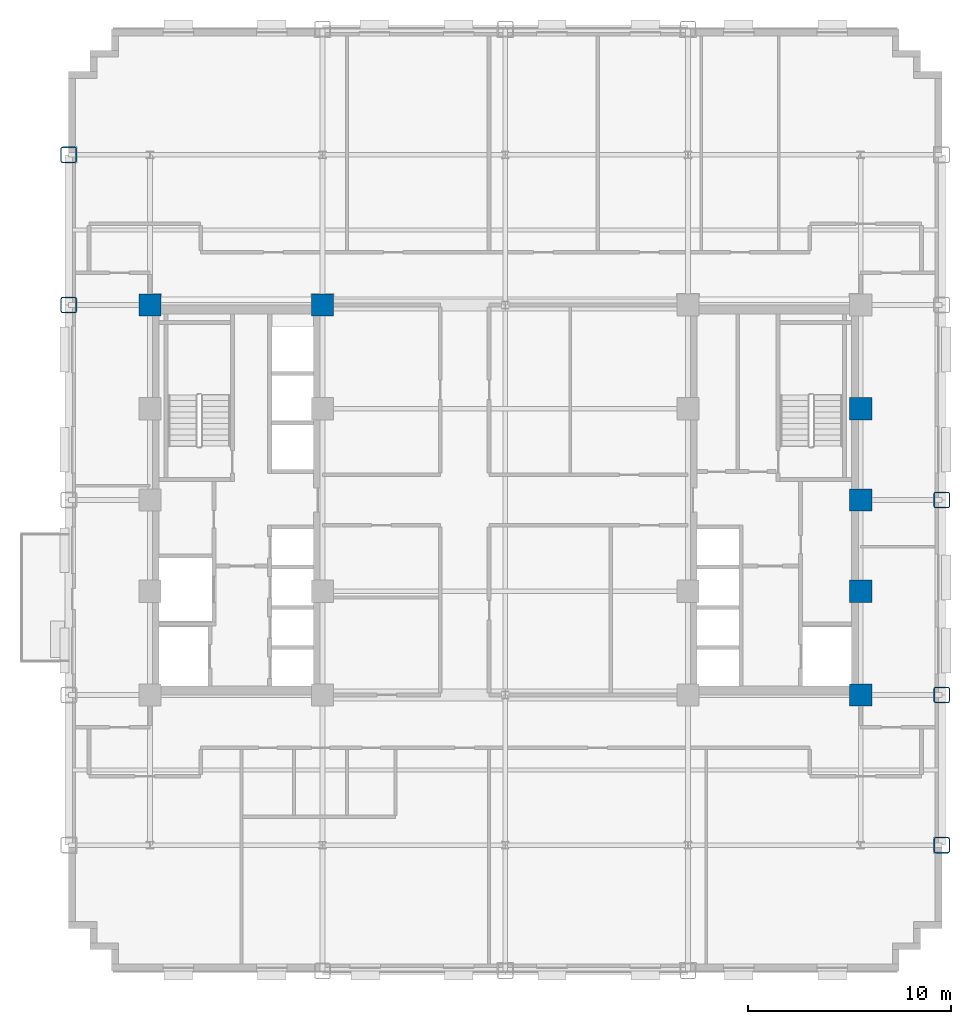
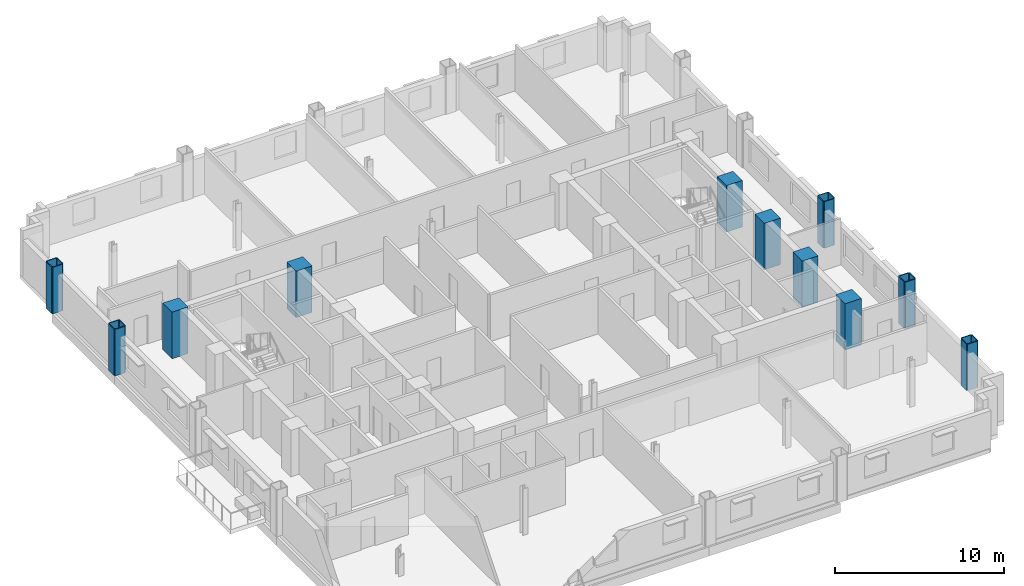
# One storey, part 2 of 13: 11 columns.
"""IFC4 building model written with IfcOpenShell, lengths in metres."""

from ifc_helpers import new_model, si_unit, direction, frame, origin, origin_2d, place, context, subcontext, project, spatial, rectangle, hollow_rectangle, extrude, material, material_profile, profile_set, type_object, element, save


model = new_model("IFC4")

# Units and contexts
model_context = context("Model", 3, precision=1e-05, world=origin(), true_north=direction((0.0, 1.0)))
body_context = subcontext(model_context, "Body", "Model", "MODEL_VIEW")
ifc_project = project(units=[si_unit("LENGTHUNIT", "METRE"), si_unit("AREAUNIT", "SQUARE_METRE"), si_unit("VOLUMEUNIT", "CUBIC_METRE"), si_unit("PLANEANGLEUNIT", "RADIAN"), si_unit("MASSUNIT", "GRAM", prefix="KILO")], contexts=[model_context])

# Site, building, storey
site_placement = place(None, origin())
site = spatial("IfcSite", under=ifc_project, at=site_placement, CompositionType="ELEMENT")
building_placement = place(site_placement, origin())
building = spatial("IfcBuilding", under=site, at=building_placement, Name="Nuvemarco Arch Tower", CompositionType="ELEMENT")
storey_placement = place(building_placement, frame((0.0, 0.0, 78.699951171875)))
storey = spatial("IfcBuildingStorey", under=building, at=storey_placement, Name="L20", CompositionType="ELEMENT", Elevation=78.699951171875)

# Columns
ifc_material_1 = material(Name="Concrete C60/75", Category="concrete")
ifc_material_profile_1 = material_profile(ifc_material_1, rectangle(XDim=1.10009765625, YDim=1.10009765625, at=origin_2d()), Name="RC-COL-1100x1100")
ifc_profile_set_1 = profile_set([ifc_material_profile_1], Name="Concrete C60/75")
column_type_1 = type_object("IfcColumnType", Name="COL-CORE-1100", PredefinedType="COLUMN", material=ifc_profile_set_1)
for number, where, z_axis, x_axis, name in (
    (1, (-17.5, 9.60009765625, 0.0), (0.0, 0.0, 1.0), (1.0, 0.0, 0.0), "L20 column CC_-17.5_+9.6"),
    (2, (-9.0, 9.60009765625, 0.0), (0.0, 0.0, 1.0), (1.0, 0.0, 0.0), "L20 column CC_-9.0_+9.6"),
    (3, (17.5, -9.60009765625, 0.0), (0.0, 0.0, 1.0), (1.0, 0.0, 0.0), "L20 column CC_+17.5_-9.6"),
    (4, (17.5, -4.5, 0.0), (0.0, 0.0, 1.0), (1.0, 0.0, 0.0), "L20 column CC_+17.5_-4.5"),
    (5, (17.5, 4.5, 0.0), (0.0, 0.0, 1.0), (1.0, 0.0, 0.0), "L20 column CC_+17.5_+4.5"),
    (6, (17.5, 0.0, 0.0), (0.0, 0.0, 1.0), (1.0, 0.0, 0.0), "L20 column CC_+17.5_+0.0"),
):
    element("IfcColumn", number, at=place(storey_placement, frame(where, z_axis=z_axis, x_axis=x_axis)), inside=storey, type_object=column_type_1, Name=name, PredefinedType="COLUMN", context=body_context, shape_type="SweptSolid", body=[
        extrude(rectangle(XDim=1.10009765625, YDim=1.10009765625, at=origin_2d()), origin(), (0.0, 0.0, 1.0), 3.3701171875),
    ])
ifc_material_2 = material(Name="Steel S460", Category="steel")
ifc_material_profile_2 = material_profile(ifc_material_2, hollow_rectangle(XDim=0.800048828125, YDim=0.800048828125, WallThickness=0.054931640625, InnerFilletRadius=0.054931640625, OuterFilletRadius=0.110107421875, at=origin_2d()), Name="SHS800x800x55")
ifc_profile_set_2 = profile_set([ifc_material_profile_2], Name="Steel S460")
column_type_2 = type_object("IfcColumnType", Name="COL-EXO-800", PredefinedType="COLUMN", material=ifc_profile_set_2)
for number, where, z_axis, x_axis, name in (
    (7, (-21.5, 9.60009765625, 0.0), (0.0, 0.0, 1.0), (1.0, 0.0, 0.0), "L20 column CX_-21.5_+9.6"),
    (8, (-21.5, 17.0, 0.0), (0.0, 0.0, 1.0), (1.0, 0.0, 0.0), "L20 column CX_-21.5_+17.0"),
    (9, (21.5, -17.0, 0.0), (0.0, 0.0, 1.0), (1.0, 0.0, 0.0), "L20 column CX_+21.5_-17.0"),
    (10, (21.5, -9.60009765625, 0.0), (0.0, 0.0, 1.0), (1.0, 0.0, 0.0), "L20 column CX_+21.5_-9.6"),
    (11, (21.5, 0.0, 0.0), (0.0, 0.0, 1.0), (1.0, 0.0, 0.0), "L20 column CX_+21.5_+0.0"),
):
    element("IfcColumn", number, at=place(storey_placement, frame(where, z_axis=z_axis, x_axis=x_axis)), inside=storey, type_object=column_type_2, Name=name, PredefinedType="COLUMN", context=body_context, shape_type="SweptSolid", body=[
        extrude(hollow_rectangle(XDim=0.800048828125, YDim=0.800048828125, WallThickness=0.054931640625, InnerFilletRadius=0.054931640625, OuterFilletRadius=0.110107421875, at=origin_2d()), origin(), (0.0, 0.0, 1.0), 3.3701171875),
    ])

save(model, "model.ifc")
